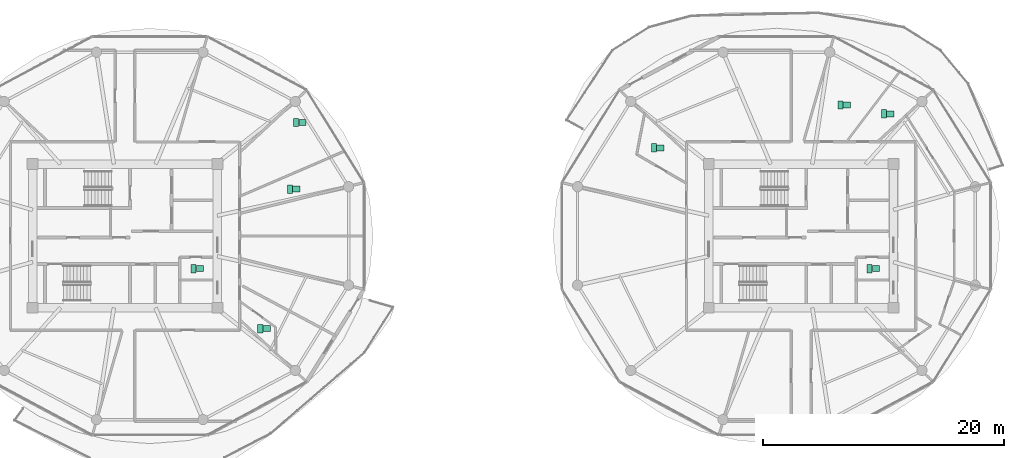
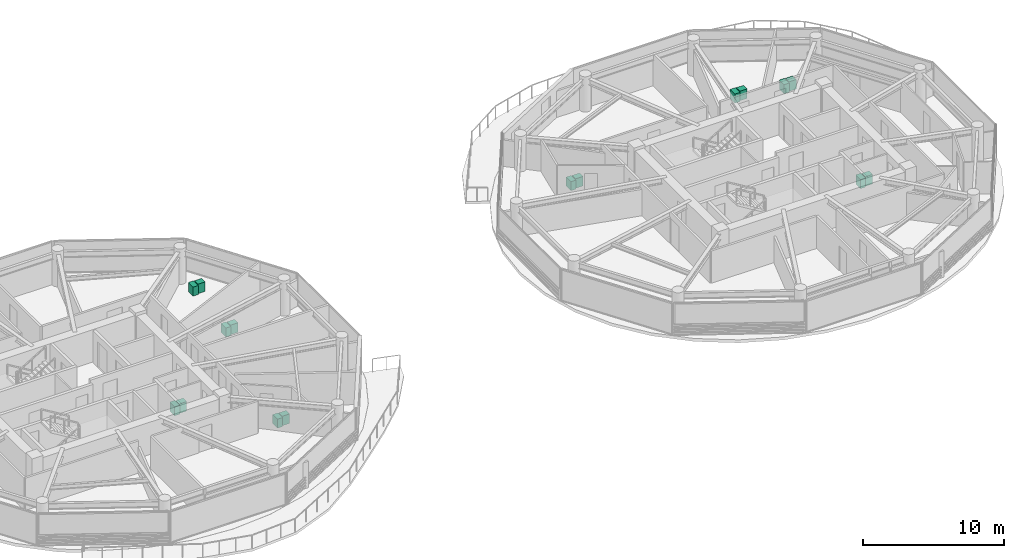
# One storey, part 24 of 24: 16 sanitary terminals.
"""IFC4 building model written with IfcOpenShell, lengths in metres."""

from ifc_helpers import new_model, si_unit, direction, frame, origin, origin_2d, place, context, subcontext, project, spatial, rectangle, extrude, source, transform, mapped, material, type_object, type_shapes, element, save


model = new_model("IFC4")

# Units and contexts
model_context = context("Model", 3, precision=1e-05, world=origin(), true_north=direction((0.0, 1.0)))
body_context = subcontext(model_context, "Body", "Model", "MODEL_VIEW")
ifc_project = project(units=[si_unit("LENGTHUNIT", "METRE"), si_unit("AREAUNIT", "SQUARE_METRE"), si_unit("VOLUMEUNIT", "CUBIC_METRE"), si_unit("PLANEANGLEUNIT", "RADIAN"), si_unit("MASSUNIT", "GRAM", prefix="KILO")], contexts=[model_context])

# Site, building, storey
site_placement = place(None, origin())
site = spatial("IfcSite", under=ifc_project, at=site_placement, CompositionType="ELEMENT")
building_placement = place(site_placement, origin())
building = spatial("IfcBuilding", under=site, at=building_placement, Name="Norrkilde Senior Care Towers", CompositionType="ELEMENT")
storey_placement = place(building_placement, frame((0.0, 0.0, 114.550048828125)))
storey = spatial("IfcBuildingStorey", under=building, at=storey_placement, Name="L35", CompositionType="ELEMENT", Elevation=114.550048828125)

# Sanitary terminals
ifc_material = material(Name="Porcelain Ceramic")
sanitary_terminal_type_1 = type_object("IfcSanitaryTerminalType", Name="Accessible Senior WC Suite", PredefinedType="TOILETPAN", material=ifc_material)
shared_shape_1 = source(origin(), body_context, "Body", "SweptSolid", [
    extrude(rectangle(XDim=0.419921875, YDim=0.679931640625, at=origin_2d()), origin(), (0.0, 0.0, 1.0), 0.780029296875),
])
type_shapes(sanitary_terminal_type_1, [shared_shape_1])
for number, where, z_axis, x_axis, name in (
    (1, (-22.324951171875, -2.715087890625, 0.0), (0.0, 0.0, 1.0), (1.0, 0.0, 0.0), "L35 Accessible WC Pan 0107"),
    (2, (-16.797119140625, -7.680908203125, 0.0), (0.0, 0.0, 1.0), (1.0, 0.0, 0.0), "L35 Accessible WC Pan 0108"),
    (3, (-14.346435546875, 3.87109375, 0.0), (0.0, 0.0, 1.0), (1.0, 0.0, 0.0), "L35 Accessible WC Pan 0109"),
    (4, (-13.822021484375, 9.398681640625, 0.0), (0.0, 0.0, 1.0), (1.0, 0.0, 0.0), "L35 Accessible WC Pan 0110"),
    (5, (33.675048828125, -2.715087890625, 0.0), (0.0, 0.0, 1.0), (1.0, 0.0, 0.0), "L35 Accessible WC Pan 0111"),
    (6, (15.8046875, 7.29833984375, 0.0), (0.0, 0.0, 1.0), (1.0, 0.0, 0.0), "L35 Accessible WC Pan 0112"),
    (7, (34.8486328125, 10.1171875, 0.0), (0.0, 0.0, 1.0), (1.0, 0.0, 0.0), "L35 Accessible WC Pan 0113"),
    (8, (31.25634765625, 10.851806640625, 0.0), (0.0, 0.0, 1.0), (1.0, 0.0, 0.0), "L35 Accessible WC Pan 0114"),
):
    element("IfcSanitaryTerminal", number, at=place(storey_placement, frame(where, z_axis=z_axis, x_axis=x_axis)), inside=storey, type_object=sanitary_terminal_type_1, Name=name, PredefinedType="TOILETPAN", context=body_context, shape_type="MappedRepresentation", body=[
        mapped(shared_shape_1, transform((0.0, 0.0, 0.0), x_axis=(1.0, 0.0, 0.0), y_axis=(0.0, 1.0, 0.0), z_axis=(0.0, 0.0, 1.0), scale=1.0)),
    ])
sanitary_terminal_type_2 = type_object("IfcSanitaryTerminalType", Name="Thermostatic Care Washbasin", PredefinedType="WASHHANDBASIN", material=ifc_material)
shared_shape_2 = source(origin(), body_context, "Body", "SweptSolid", [
    extrude(rectangle(XDim=0.60009765625, YDim=0.5, at=origin_2d()), origin(), (0.0, 0.0, 1.0), 0.820068359375),
])
type_shapes(sanitary_terminal_type_2, [shared_shape_2])
for number, where, z_axis, x_axis, name in (
    (9, (-21.794921875, -2.715087890625, 0.0), (0.0, 0.0, 1.0), (1.0, 0.0, 0.0), "L35 Accessible Washbasin 0107"),
    (10, (-16.26708984375, -7.680908203125, 0.0), (0.0, 0.0, 1.0), (1.0, 0.0, 0.0), "L35 Accessible Washbasin 0108"),
    (11, (-13.81640625, 3.87109375, 0.0), (0.0, 0.0, 1.0), (1.0, 0.0, 0.0), "L35 Accessible Washbasin 0109"),
    (12, (-13.2919921875, 9.398681640625, 0.0), (0.0, 0.0, 1.0), (1.0, 0.0, 0.0), "L35 Accessible Washbasin 0110"),
    (13, (34.205078125, -2.715087890625, 0.0), (0.0, 0.0, 1.0), (1.0, 0.0, 0.0), "L35 Accessible Washbasin 0111"),
    (14, (16.334716796875, 7.29833984375, 0.0), (0.0, 0.0, 1.0), (1.0, 0.0, 0.0), "L35 Accessible Washbasin 0112"),
    (15, (35.378662109375, 10.1171875, 0.0), (0.0, 0.0, 1.0), (1.0, 0.0, 0.0), "L35 Accessible Washbasin 0113"),
    (16, (31.786376953125, 10.851806640625, 0.0), (0.0, 0.0, 1.0), (1.0, 0.0, 0.0), "L35 Accessible Washbasin 0114"),
):
    element("IfcSanitaryTerminal", number, at=place(storey_placement, frame(where, z_axis=z_axis, x_axis=x_axis)), inside=storey, type_object=sanitary_terminal_type_2, Name=name, PredefinedType="WASHHANDBASIN", context=body_context, shape_type="MappedRepresentation", body=[
        mapped(shared_shape_2, transform((0.0, 0.0, 0.0), x_axis=(1.0, 0.0, 0.0), y_axis=(0.0, 1.0, 0.0), z_axis=(0.0, 0.0, 1.0), scale=1.0)),
    ])

save(model, "model.ifc")
